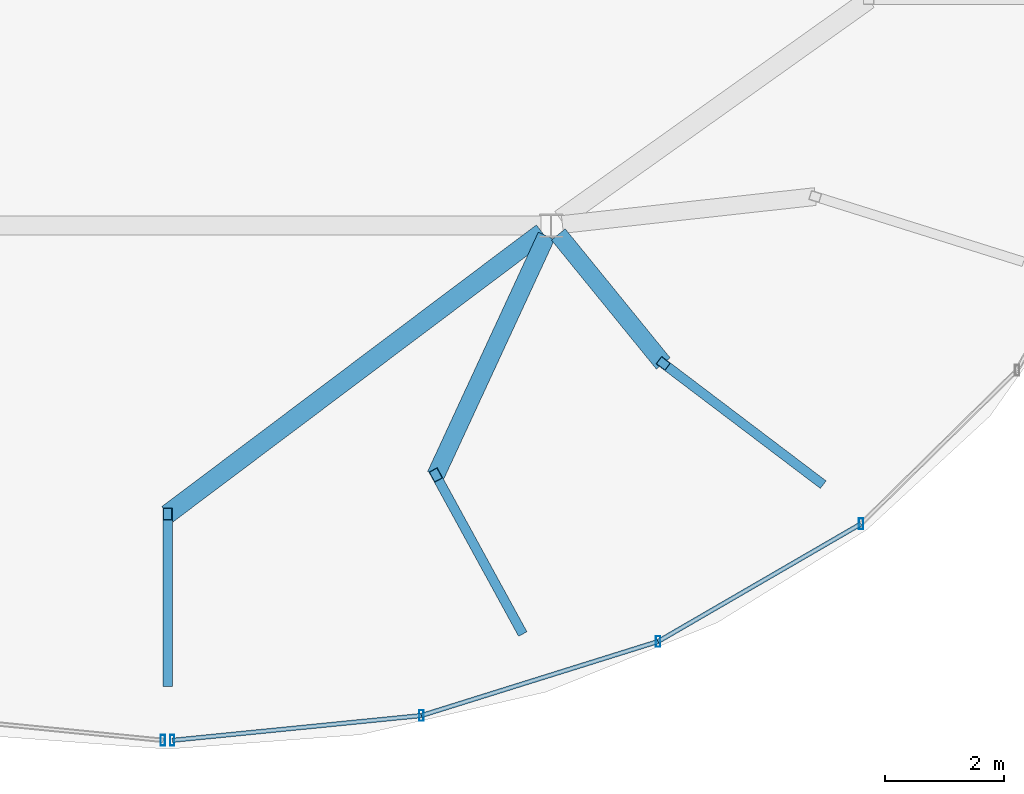
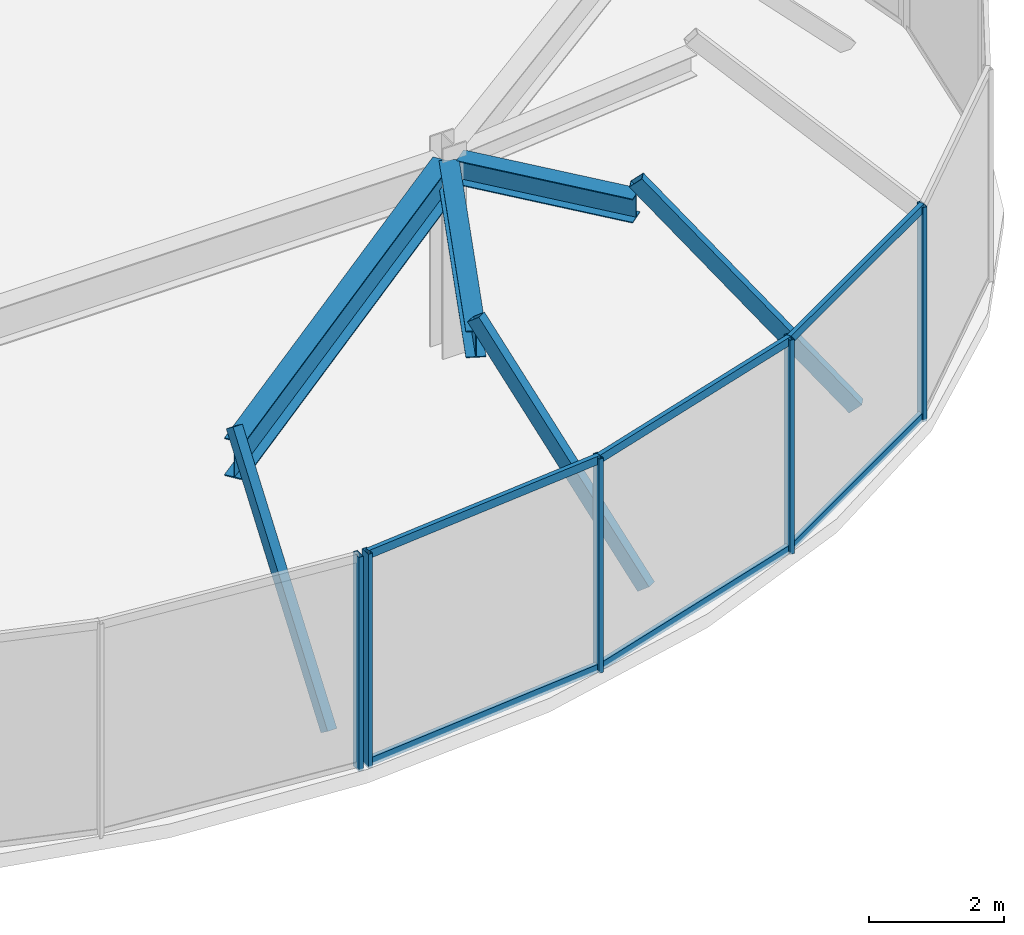
# One storey, part 5 of 13: 14 members, 3 beams, 2 elements without a shape of their own.
"""IFC4 building model written with IfcOpenShell, lengths in metres."""

from ifc_helpers import new_model, si_unit, direction, frame, origin, origin_2d, place, context, subcontext, project, spatial, hollow_rectangle, i_section, extrude, material, material_profile, profile_set, type_object, element, aggregate, save


model = new_model("IFC4")

# Units and contexts
model_context = context("Model", 3, precision=1e-05, world=origin(), true_north=direction((0.0, 1.0)))
body_context = subcontext(model_context, "Body", "Model", "MODEL_VIEW")
ifc_project = project(units=[si_unit("LENGTHUNIT", "METRE"), si_unit("AREAUNIT", "SQUARE_METRE"), si_unit("VOLUMEUNIT", "CUBIC_METRE"), si_unit("PLANEANGLEUNIT", "RADIAN"), si_unit("MASSUNIT", "GRAM", prefix="KILO")], contexts=[model_context])

# Site, building, storey
site_placement = place(None, origin())
site = spatial("IfcSite", under=ifc_project, at=site_placement, CompositionType="ELEMENT")
building_placement = place(site_placement, origin())
building = spatial("IfcBuilding", under=site, at=building_placement, Name="Vorneva Point Tower", CompositionType="ELEMENT")
storey_placement = place(building_placement, frame((0.0, 0.0, 303.0)))
storey = spatial("IfcBuildingStorey", under=building, at=storey_placement, Name="C03", CompositionType="ELEMENT", Elevation=303.0)

# Beams
ifc_material_1 = material(Name="Steel S355", Category="steel")
ifc_material_profile_1 = material_profile(ifc_material_1, i_section(OverallWidth=0.299072265625, OverallDepth=0.43505859375, WebThickness=0.010498046875, FlangeThickness=0.014892578125, at=origin_2d()), Name="45Sh1")
ifc_profile_set_1 = profile_set([ifc_material_profile_1], Name="Steel S355")
beam_type_1 = type_object("IfcBeamType", Name="BM-GRD-45Sh1", PredefinedType="USERDEFINED", material=ifc_profile_set_1)
beam_1_placement = place(storey_placement, frame((46.333984375, 19.883544921875, 3.33251953125), z_axis=(-0.631000185127, 0.77578267986, 0.0), x_axis=(-0.77578267986, -0.631000185127, 0.0)))
element("IfcBeam", 1, at=beam_1_placement, inside=storey, type_object=beam_type_1, Name="C03 Radial Primary Girder 15", ObjectType="GIRDER", PredefinedType="USERDEFINED", context=body_context, shape_type="SweptSolid", body=[
    extrude(i_section(OverallWidth=0.299072265625, OverallDepth=0.43505859375, WebThickness=0.010498046875, FlangeThickness=0.014892578125, at=origin_2d()), origin(), (0.0, 0.0, 1.0), 2.7958984375),
])
ifc_material_profile_2 = material_profile(ifc_material_1, i_section(OverallWidth=0.300048828125, OverallDepth=0.48193359375, WebThickness=0.010986328125, FlangeThickness=0.014892578125, at=origin_2d()), Name="50Sh1")
ifc_profile_set_2 = profile_set([ifc_material_profile_2], Name="Steel S355")
beam_type_2 = type_object("IfcBeamType", Name="BM-GRD-50Sh1", PredefinedType="USERDEFINED", material=ifc_profile_set_2)
beam_2_placement = place(storey_placement, frame((42.51025390625, 18.00830078125, 3.30908203125), z_axis=(0.419952903924, 0.907545898832, 0.0), x_axis=(-0.907545898832, 0.419952903924, 0.0)))
element("IfcBeam", 2, at=beam_2_placement, inside=storey, type_object=beam_type_2, Name="C03 Radial Primary Girder 14", ObjectType="GIRDER", PredefinedType="USERDEFINED", context=body_context, shape_type="SweptSolid", body=[
    extrude(i_section(OverallWidth=0.300048828125, OverallDepth=0.48193359375, WebThickness=0.010986328125, FlangeThickness=0.014892578125, at=origin_2d()), origin(), (0.0, 0.0, 1.0), 4.4287109375),
])
ifc_material_profile_3 = material_profile(ifc_material_1, i_section(OverallWidth=0.320068359375, OverallDepth=0.68310546875, WebThickness=0.012939453125, FlangeThickness=0.01904296875, at=origin_2d()), Name="70Sh1")
ifc_profile_set_3 = profile_set([ifc_material_profile_3], Name="Steel S355")
beam_type_3 = type_object("IfcBeamType", Name="BM-GRD-70Sh1", PredefinedType="USERDEFINED", material=ifc_profile_set_3)
beam_3_placement = place(storey_placement, frame((38.0, 17.35009765625, 3.20849609375), z_axis=(0.799266967169, 0.600976135294, 0.0), x_axis=(-0.600976135294, 0.799266967169, 0.0)))
element("IfcBeam", 3, at=beam_3_placement, inside=storey, type_object=beam_type_3, Name="C03 Radial Primary Girder 13", ObjectType="GIRDER", PredefinedType="USERDEFINED", context=body_context, shape_type="SweptSolid", body=[
    extrude(i_section(OverallWidth=0.320068359375, OverallDepth=0.68310546875, WebThickness=0.012939453125, FlangeThickness=0.01904296875, at=origin_2d()), origin(), (0.0, 0.0, 1.0), 7.8798828125),
])

# Curtain wall, member
ifc_material_2 = material(Name="Pale anodised aluminium", Category="aluminium")
curtain_wall_type = type_object("IfcCurtainWallType", Name="CW-CRN-SYS", PredefinedType="NOTDEFINED", material=ifc_material_2)
curtain_wall_1_placement = place(storey_placement, origin())
curtain_wall_1 = element("IfcCurtainWall", 4, at=curtain_wall_1_placement, inside=storey, type_object=curtain_wall_type, Name="C03 Unitised Curtain Wall CW-C03-Q3", PredefinedType="NOTDEFINED")
ifc_material_profile_4 = material_profile(ifc_material_2, hollow_rectangle(XDim=0.074951171875, YDim=0.179931640625, WallThickness=0.00390625, at=origin_2d()), Name="AL-MUL 180x75x4")
ifc_profile_set_4 = profile_set([ifc_material_profile_4], Name="Pale anodised aluminium")
member_type_1 = type_object("IfcMemberType", Name="CW-MUL-180", PredefinedType="MULLION", material=ifc_profile_set_4)
member_1_placement = place(storey_placement, frame((37.92041015625, 13.5478515625, -0.0400390625), z_axis=(0.0, 0.0, 1.0), x_axis=(1.0, 0.0, 0.0)))
member_1 = element("IfcMember", 5, at=member_1_placement, type_object=member_type_1, Name="CW-C03-Q3 Mullion 07", PredefinedType="MULLION", context=body_context, shape_type="SweptSolid", body=[
    extrude(hollow_rectangle(XDim=0.074951171875, YDim=0.179931640625, WallThickness=0.00390625, at=origin_2d()), origin(), (0.0, 0.0, 1.0), 3.8701171875),
])
aggregate(curtain_wall_1, [member_1])

# Curtain wall, members
curtain_wall_2_placement = place(storey_placement, origin())
curtain_wall_2 = element("IfcCurtainWall", 6, at=curtain_wall_2_placement, inside=storey, type_object=curtain_wall_type, Name="C03 Unitised Curtain Wall CW-C03-Q4", PredefinedType="NOTDEFINED")
member_2_placement = place(storey_placement, frame((38.07958984375, 13.5478515625, -0.0400390625), z_axis=(0.0, 0.0, 1.0), x_axis=(1.0, 0.0, 0.0)))
member_2 = element("IfcMember", 7, at=member_2_placement, type_object=member_type_1, Name="CW-C03-Q4 Mullion 01", PredefinedType="MULLION", context=body_context, shape_type="SweptSolid", body=[
    extrude(hollow_rectangle(XDim=0.074951171875, YDim=0.179931640625, WallThickness=0.00390625, at=origin_2d()), origin(), (0.0, 0.0, 1.0), 3.8701171875),
])
member_3_placement = place(storey_placement, frame((42.268310546875, 13.964599609375, -0.0400390625), z_axis=(0.0, 0.0, 1.0), x_axis=(1.0, 0.0, 0.0)))
member_3 = element("IfcMember", 8, at=member_3_placement, type_object=member_type_1, Name="CW-C03-Q4 Mullion 02", PredefinedType="MULLION", context=body_context, shape_type="SweptSolid", body=[
    extrude(hollow_rectangle(XDim=0.074951171875, YDim=0.179931640625, WallThickness=0.00390625, at=origin_2d()), origin(), (0.0, 0.0, 1.0), 3.8701171875),
])
member_4_placement = place(storey_placement, frame((46.24609375, 15.209228515625, -0.0400390625), z_axis=(0.0, 0.0, 1.0), x_axis=(1.0, 0.0, 0.0)))
member_4 = element("IfcMember", 9, at=member_4_placement, type_object=member_type_1, Name="CW-C03-Q4 Mullion 03", PredefinedType="MULLION", context=body_context, shape_type="SweptSolid", body=[
    extrude(hollow_rectangle(XDim=0.074951171875, YDim=0.179931640625, WallThickness=0.00390625, at=origin_2d()), origin(), (0.0, 0.0, 1.0), 3.8701171875),
])
member_5_placement = place(storey_placement, frame((49.66162109375, 17.189453125, -0.0400390625), z_axis=(0.0, 0.0, 1.0), x_axis=(1.0, 0.0, 0.0)))
member_5 = element("IfcMember", 10, at=member_5_placement, type_object=member_type_1, Name="CW-C03-Q4 Mullion 04", PredefinedType="MULLION", context=body_context, shape_type="SweptSolid", body=[
    extrude(hollow_rectangle(XDim=0.074951171875, YDim=0.179931640625, WallThickness=0.00390625, at=origin_2d()), origin(), (0.0, 0.0, 1.0), 3.8701171875),
])
ifc_material_profile_5 = material_profile(ifc_material_2, hollow_rectangle(XDim=0.074951171875, YDim=0.14990234375, WallThickness=0.00390625, at=origin_2d()), Name="AL-TRN 150x75x4")
ifc_profile_set_5 = profile_set([ifc_material_profile_5], Name="Pale anodised aluminium")
member_type_2 = type_object("IfcMemberType", Name="CW-TRN-150", PredefinedType="USERDEFINED", material=ifc_profile_set_5)
member_6_placement = place(storey_placement, frame((38.07958984375, 13.5478515625, 0.02001953125), z_axis=(0.995087024234, 0.099004112046, 0.0), x_axis=(-0.099004112046, 0.995087024234, 0.0)))
member_6 = element("IfcMember", 11, at=member_6_placement, type_object=member_type_2, Name="CW-C03-Q4 Transom 01.1", ObjectType="TRANSOM", PredefinedType="USERDEFINED", context=body_context, shape_type="SweptSolid", body=[
    extrude(hollow_rectangle(XDim=0.074951171875, YDim=0.14990234375, WallThickness=0.00390625, at=origin_2d()), origin(), (0.0, 0.0, 1.0), 4.20947265625),
])
member_7_placement = place(storey_placement, frame((38.07958984375, 13.5478515625, 3.780029296875), z_axis=(0.995087024234, 0.099004112046, 0.0), x_axis=(-0.099004112046, 0.995087024234, 0.0)))
member_7 = element("IfcMember", 12, at=member_7_placement, type_object=member_type_2, Name="CW-C03-Q4 Transom 01.2", ObjectType="TRANSOM", PredefinedType="USERDEFINED", context=body_context, shape_type="SweptSolid", body=[
    extrude(hollow_rectangle(XDim=0.074951171875, YDim=0.14990234375, WallThickness=0.00390625, at=origin_2d()), origin(), (0.0, 0.0, 1.0), 4.20947265625),
])
member_8_placement = place(storey_placement, frame((42.268310546875, 13.964599609375, 0.02001953125), z_axis=(0.954372562321, 0.298618506273, 0.0), x_axis=(-0.298618506273, 0.954372562321, 0.0)))
member_8 = element("IfcMember", 13, at=member_8_placement, type_object=member_type_2, Name="CW-C03-Q4 Transom 02.1", ObjectType="TRANSOM", PredefinedType="USERDEFINED", context=body_context, shape_type="SweptSolid", body=[
    extrude(hollow_rectangle(XDim=0.074951171875, YDim=0.14990234375, WallThickness=0.00390625, at=origin_2d()), origin(), (0.0, 0.0, 1.0), 4.16796875),
])
member_9_placement = place(storey_placement, frame((42.268310546875, 13.964599609375, 3.780029296875), z_axis=(0.954372562321, 0.298618506273, 0.0), x_axis=(-0.298618506273, 0.954372562321, 0.0)))
member_9 = element("IfcMember", 14, at=member_9_placement, type_object=member_type_2, Name="CW-C03-Q4 Transom 02.2", ObjectType="TRANSOM", PredefinedType="USERDEFINED", context=body_context, shape_type="SweptSolid", body=[
    extrude(hollow_rectangle(XDim=0.074951171875, YDim=0.14990234375, WallThickness=0.00390625, at=origin_2d()), origin(), (0.0, 0.0, 1.0), 4.16796875),
])
member_10_placement = place(storey_placement, frame((46.24609375, 15.209228515625, 0.02001953125), z_axis=(0.8651170579, 0.501570011196, 0.0), x_axis=(-0.501570011196, 0.8651170579, 0.0)))
member_10 = element("IfcMember", 15, at=member_10_placement, type_object=member_type_2, Name="CW-C03-Q4 Transom 03.1", ObjectType="TRANSOM", PredefinedType="USERDEFINED", context=body_context, shape_type="SweptSolid", body=[
    extrude(hollow_rectangle(XDim=0.074951171875, YDim=0.14990234375, WallThickness=0.00390625, at=origin_2d()), origin(), (0.0, 0.0, 1.0), 3.947998046875),
])
member_11_placement = place(storey_placement, frame((46.24609375, 15.209228515625, 3.780029296875), z_axis=(0.8651170579, 0.501570011196, 0.0), x_axis=(-0.501570011196, 0.8651170579, 0.0)))
member_11 = element("IfcMember", 16, at=member_11_placement, type_object=member_type_2, Name="CW-C03-Q4 Transom 03.2", ObjectType="TRANSOM", PredefinedType="USERDEFINED", context=body_context, shape_type="SweptSolid", body=[
    extrude(hollow_rectangle(XDim=0.074951171875, YDim=0.14990234375, WallThickness=0.00390625, at=origin_2d()), origin(), (0.0, 0.0, 1.0), 3.947998046875),
])
aggregate(curtain_wall_2, [member_2, member_3, member_4, member_5, member_6, member_7, member_8, member_9, member_10, member_11])

# Members
ifc_material_profile_6 = material_profile(ifc_material_1, hollow_rectangle(XDim=0.159912109375, YDim=0.25, WallThickness=0.010009765625, at=origin_2d()), Name="PP 250x160x10")
ifc_profile_set_6 = profile_set([ifc_material_profile_6], Name="Steel S355")
member_type_3 = type_object("IfcMemberType", Name="MBR-CRN-PP250", PredefinedType="CHORD", material=ifc_profile_set_6)
member_12_placement = place(storey_placement, frame((38.0, 14.550048828125, 0.0), z_axis=(0.0, 0.593200802357, 0.805054537334), x_axis=(-1.0, 0.0, 0.0)))
element("IfcMember", 17, at=member_12_placement, inside=storey, type_object=member_type_3, Name="Crown Tapered Frame Rib C03-13", PredefinedType="CHORD", context=body_context, shape_type="SweptSolid", body=[
    extrude(hollow_rectangle(XDim=0.159912109375, YDim=0.25, WallThickness=0.010009765625, at=origin_2d()), origin(), (0.0, 0.0, 1.0), 4.72021484375),
])
member_13_placement = place(storey_placement, frame((43.9248046875, 15.421630859375, 0.0), z_axis=(-0.29411027843, 0.537814704862, 0.790097770757), x_axis=(-0.877376041832, -0.479803377666, 0.0)))
element("IfcMember", 18, at=member_13_placement, inside=storey, type_object=member_type_3, Name="Crown Tapered Frame Rib C03-14", PredefinedType="CHORD", context=body_context, shape_type="SweptSolid", body=[
    extrude(hollow_rectangle(XDim=0.159912109375, YDim=0.25, WallThickness=0.010009765625, at=origin_2d()), origin(), (0.0, 0.0, 1.0), 4.8095703125),
])
member_14_placement = place(storey_placement, frame((48.947509765625, 17.903564453125, 0.0), z_axis=(-0.52071755645, 0.39449036738, 0.757119922106), x_axis=(-0.603864855873, -0.797086717893, 0.0)))
element("IfcMember", 19, at=member_14_placement, inside=storey, type_object=member_type_3, Name="Crown Tapered Frame Rib C03-15", PredefinedType="CHORD", context=body_context, shape_type="SweptSolid", body=[
    extrude(hollow_rectangle(XDim=0.159912109375, YDim=0.25, WallThickness=0.010009765625, at=origin_2d()), origin(), (0.0, 0.0, 1.0), 5.01904296875),
])

save(model, "model.ifc")
